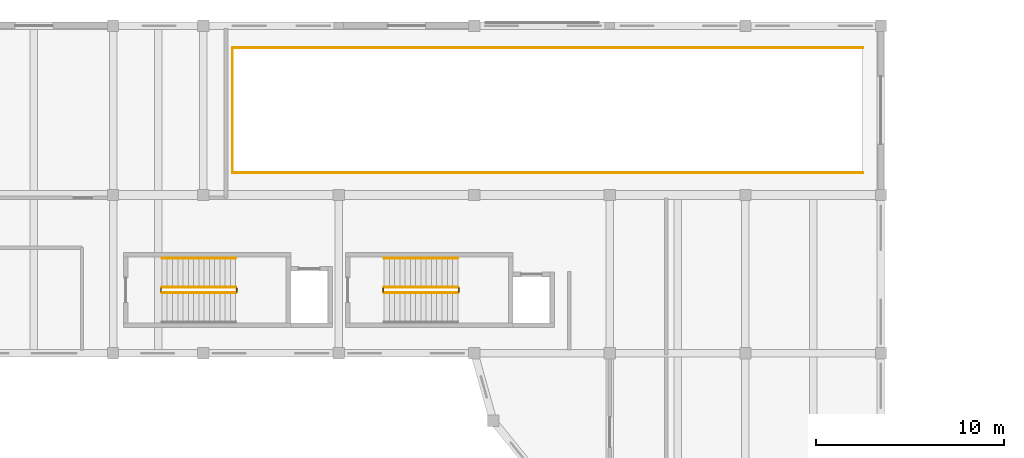
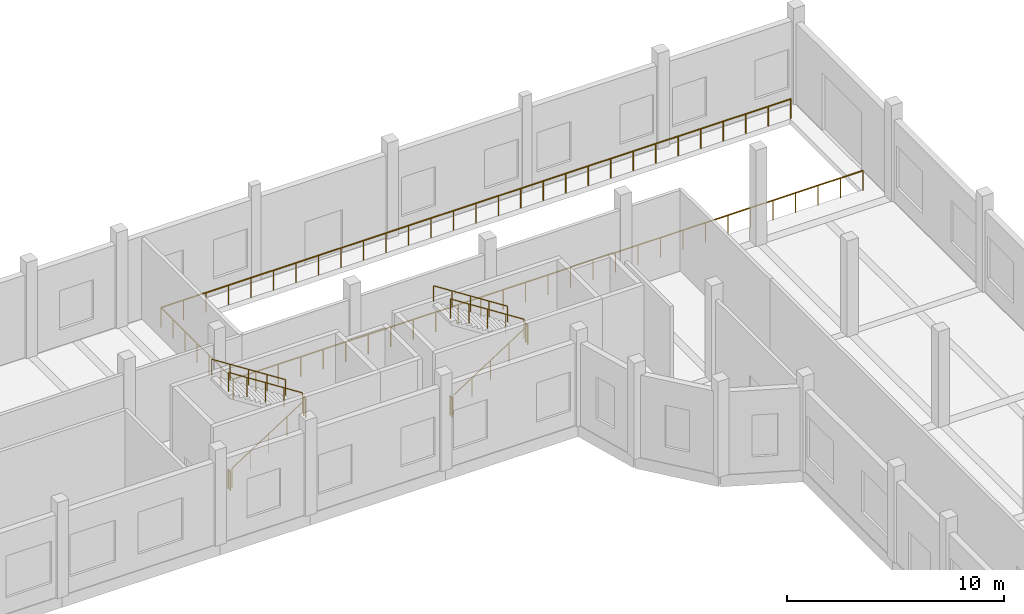
# One storey, part 39 of 41: 13 railings.
"""IFC4 building model written with IfcOpenShell, lengths in metres."""

from ifc_helpers import new_model, si_unit, direction, frame, origin, origin_2d, place, context, subcontext, project, spatial, circle, extrude, material, type_object, element, save


model = new_model("IFC4")

# Units and contexts
model_context = context("Model", 3, precision=1e-05, world=origin(), true_north=direction((0.0, 1.0)))
body_context = subcontext(model_context, "Body", "Model", "MODEL_VIEW")
ifc_project = project(units=[si_unit("LENGTHUNIT", "METRE"), si_unit("AREAUNIT", "SQUARE_METRE"), si_unit("VOLUMEUNIT", "CUBIC_METRE"), si_unit("PLANEANGLEUNIT", "RADIAN"), si_unit("MASSUNIT", "GRAM", prefix="KILO")], contexts=[model_context])

# Site, building, storey
site_placement = place(None, origin())
site = spatial("IfcSite", under=ifc_project, at=site_placement, CompositionType="ELEMENT")
building_placement = place(site_placement, origin())
building = spatial("IfcBuilding", under=site, at=building_placement, Name="Kahlenmark Community Centre", CompositionType="ELEMENT")
storey_placement = place(building_placement, origin())
storey = spatial("IfcBuildingStorey", under=building, at=storey_placement, Name="L00", CompositionType="ELEMENT", Elevation=0.0)

# Railings
ifc_material_1 = material(Name="Powder-coated galvanized steel balustrade", Category="steel")
railing_type_1 = type_object("IfcRailingType", Name="RLT-BAL-1120", PredefinedType="BALUSTRADE", material=ifc_material_1)
railing_1_placement = place(storey_placement, frame((52.35009765625, 107.179931640625, 0.0)))
element("IfcRailing", 1, at=railing_1_placement, inside=storey, type_object=railing_type_1, Name="Balustrade guard L00-017", PredefinedType="BALUSTRADE", context=body_context, shape_type="SweptSolid", body=[
    extrude(circle(Radius=0.02392578125, at=origin_2d()), frame((0.0, 0.0, 1.09619140625), z_axis=(1.0, 0.0, 0.0), x_axis=(0.0, 1.0, 0.0)), (0.0, 0.0, 1.0), 33.5),
    extrude(circle(Radius=0.02099609375, at=origin_2d()), origin(), (0.0, 0.0, 1.0), 1.072021484375),
    extrude(circle(Radius=0.02099609375, at=origin_2d()), frame((1.196533203125, 0.0, 0.0)), (0.0, 0.0, 1.0), 1.072021484375),
    extrude(circle(Radius=0.02099609375, at=origin_2d()), frame((2.392822265625, 0.0, 0.0)), (0.0, 0.0, 1.0), 1.072021484375),
    extrude(circle(Radius=0.02099609375, at=origin_2d()), frame((3.58935546875, 0.0, 0.0)), (0.0, 0.0, 1.0), 1.072021484375),
    extrude(circle(Radius=0.02099609375, at=origin_2d()), frame((4.78564453125, 0.0, 0.0)), (0.0, 0.0, 1.0), 1.072021484375),
    extrude(circle(Radius=0.02099609375, at=origin_2d()), frame((5.982177734375, 0.0, 0.0)), (0.0, 0.0, 1.0), 1.072021484375),
    extrude(circle(Radius=0.02099609375, at=origin_2d()), frame((7.178466796875, 0.0, 0.0)), (0.0, 0.0, 1.0), 1.072021484375),
    extrude(circle(Radius=0.02099609375, at=origin_2d()), frame((8.375, 0.0, 0.0)), (0.0, 0.0, 1.0), 1.072021484375),
    extrude(circle(Radius=0.02099609375, at=origin_2d()), frame((9.571533203125, 0.0, 0.0)), (0.0, 0.0, 1.0), 1.072021484375),
    extrude(circle(Radius=0.02099609375, at=origin_2d()), frame((10.767822265625, 0.0, 0.0)), (0.0, 0.0, 1.0), 1.072021484375),
    extrude(circle(Radius=0.02099609375, at=origin_2d()), frame((11.96435546875, 0.0, 0.0)), (0.0, 0.0, 1.0), 1.072021484375),
    extrude(circle(Radius=0.02099609375, at=origin_2d()), frame((13.16064453125, 0.0, 0.0)), (0.0, 0.0, 1.0), 1.072021484375),
    extrude(circle(Radius=0.02099609375, at=origin_2d()), frame((14.357177734375, 0.0, 0.0)), (0.0, 0.0, 1.0), 1.072021484375),
    extrude(circle(Radius=0.02099609375, at=origin_2d()), frame((15.553466796875, 0.0, 0.0)), (0.0, 0.0, 1.0), 1.072021484375),
    extrude(circle(Radius=0.02099609375, at=origin_2d()), frame((16.75, 0.0, 0.0)), (0.0, 0.0, 1.0), 1.072021484375),
    extrude(circle(Radius=0.02099609375, at=origin_2d()), frame((17.946533203125, 0.0, 0.0)), (0.0, 0.0, 1.0), 1.072021484375),
    extrude(circle(Radius=0.02099609375, at=origin_2d()), frame((19.142822265625, 0.0, 0.0)), (0.0, 0.0, 1.0), 1.072021484375),
    extrude(circle(Radius=0.02099609375, at=origin_2d()), frame((20.33935546875, 0.0, 0.0)), (0.0, 0.0, 1.0), 1.072021484375),
    extrude(circle(Radius=0.02099609375, at=origin_2d()), frame((21.53564453125, 0.0, 0.0)), (0.0, 0.0, 1.0), 1.072021484375),
    extrude(circle(Radius=0.02099609375, at=origin_2d()), frame((22.732177734375, 0.0, 0.0)), (0.0, 0.0, 1.0), 1.072021484375),
    extrude(circle(Radius=0.02099609375, at=origin_2d()), frame((23.928466796875, 0.0, 0.0)), (0.0, 0.0, 1.0), 1.072021484375),
    extrude(circle(Radius=0.02099609375, at=origin_2d()), frame((25.125, 0.0, 0.0)), (0.0, 0.0, 1.0), 1.072021484375),
    extrude(circle(Radius=0.02099609375, at=origin_2d()), frame((26.321533203125, 0.0, 0.0)), (0.0, 0.0, 1.0), 1.072021484375),
    extrude(circle(Radius=0.02099609375, at=origin_2d()), frame((27.517822265625, 0.0, 0.0)), (0.0, 0.0, 1.0), 1.072021484375),
    extrude(circle(Radius=0.02099609375, at=origin_2d()), frame((28.71435546875, 0.0, 0.0)), (0.0, 0.0, 1.0), 1.072021484375),
    extrude(circle(Radius=0.02099609375, at=origin_2d()), frame((29.91064453125, 0.0, 0.0)), (0.0, 0.0, 1.0), 1.072021484375),
    extrude(circle(Radius=0.02099609375, at=origin_2d()), frame((31.107177734375, 0.0, 0.0)), (0.0, 0.0, 1.0), 1.072021484375),
    extrude(circle(Radius=0.02099609375, at=origin_2d()), frame((32.303466796875, 0.0, 0.0)), (0.0, 0.0, 1.0), 1.072021484375),
    extrude(circle(Radius=0.02099609375, at=origin_2d()), frame((33.5, 0.0, 0.0)), (0.0, 0.0, 1.0), 1.072021484375),
])
railing_2_placement = place(storey_placement, frame((52.35009765625, 113.820068359375, 0.0)))
element("IfcRailing", 2, at=railing_2_placement, inside=storey, type_object=railing_type_1, Name="Balustrade guard L00-018", PredefinedType="BALUSTRADE", context=body_context, shape_type="SweptSolid", body=[
    extrude(circle(Radius=0.02392578125, at=origin_2d()), frame((0.0, 0.0, 1.09619140625), z_axis=(1.0, 0.0, 0.0), x_axis=(0.0, 1.0, 0.0)), (0.0, 0.0, 1.0), 33.5),
    extrude(circle(Radius=0.02099609375, at=origin_2d()), origin(), (0.0, 0.0, 1.0), 1.072021484375),
    extrude(circle(Radius=0.02099609375, at=origin_2d()), frame((1.196533203125, 0.0, 0.0)), (0.0, 0.0, 1.0), 1.072021484375),
    extrude(circle(Radius=0.02099609375, at=origin_2d()), frame((2.392822265625, 0.0, 0.0)), (0.0, 0.0, 1.0), 1.072021484375),
    extrude(circle(Radius=0.02099609375, at=origin_2d()), frame((3.58935546875, 0.0, 0.0)), (0.0, 0.0, 1.0), 1.072021484375),
    extrude(circle(Radius=0.02099609375, at=origin_2d()), frame((4.78564453125, 0.0, 0.0)), (0.0, 0.0, 1.0), 1.072021484375),
    extrude(circle(Radius=0.02099609375, at=origin_2d()), frame((5.982177734375, 0.0, 0.0)), (0.0, 0.0, 1.0), 1.072021484375),
    extrude(circle(Radius=0.02099609375, at=origin_2d()), frame((7.178466796875, 0.0, 0.0)), (0.0, 0.0, 1.0), 1.072021484375),
    extrude(circle(Radius=0.02099609375, at=origin_2d()), frame((8.375, 0.0, 0.0)), (0.0, 0.0, 1.0), 1.072021484375),
    extrude(circle(Radius=0.02099609375, at=origin_2d()), frame((9.571533203125, 0.0, 0.0)), (0.0, 0.0, 1.0), 1.072021484375),
    extrude(circle(Radius=0.02099609375, at=origin_2d()), frame((10.767822265625, 0.0, 0.0)), (0.0, 0.0, 1.0), 1.072021484375),
    extrude(circle(Radius=0.02099609375, at=origin_2d()), frame((11.96435546875, 0.0, 0.0)), (0.0, 0.0, 1.0), 1.072021484375),
    extrude(circle(Radius=0.02099609375, at=origin_2d()), frame((13.16064453125, 0.0, 0.0)), (0.0, 0.0, 1.0), 1.072021484375),
    extrude(circle(Radius=0.02099609375, at=origin_2d()), frame((14.357177734375, 0.0, 0.0)), (0.0, 0.0, 1.0), 1.072021484375),
    extrude(circle(Radius=0.02099609375, at=origin_2d()), frame((15.553466796875, 0.0, 0.0)), (0.0, 0.0, 1.0), 1.072021484375),
    extrude(circle(Radius=0.02099609375, at=origin_2d()), frame((16.75, 0.0, 0.0)), (0.0, 0.0, 1.0), 1.072021484375),
    extrude(circle(Radius=0.02099609375, at=origin_2d()), frame((17.946533203125, 0.0, 0.0)), (0.0, 0.0, 1.0), 1.072021484375),
    extrude(circle(Radius=0.02099609375, at=origin_2d()), frame((19.142822265625, 0.0, 0.0)), (0.0, 0.0, 1.0), 1.072021484375),
    extrude(circle(Radius=0.02099609375, at=origin_2d()), frame((20.33935546875, 0.0, 0.0)), (0.0, 0.0, 1.0), 1.072021484375),
    extrude(circle(Radius=0.02099609375, at=origin_2d()), frame((21.53564453125, 0.0, 0.0)), (0.0, 0.0, 1.0), 1.072021484375),
    extrude(circle(Radius=0.02099609375, at=origin_2d()), frame((22.732177734375, 0.0, 0.0)), (0.0, 0.0, 1.0), 1.072021484375),
    extrude(circle(Radius=0.02099609375, at=origin_2d()), frame((23.928466796875, 0.0, 0.0)), (0.0, 0.0, 1.0), 1.072021484375),
    extrude(circle(Radius=0.02099609375, at=origin_2d()), frame((25.125, 0.0, 0.0)), (0.0, 0.0, 1.0), 1.072021484375),
    extrude(circle(Radius=0.02099609375, at=origin_2d()), frame((26.321533203125, 0.0, 0.0)), (0.0, 0.0, 1.0), 1.072021484375),
    extrude(circle(Radius=0.02099609375, at=origin_2d()), frame((27.517822265625, 0.0, 0.0)), (0.0, 0.0, 1.0), 1.072021484375),
    extrude(circle(Radius=0.02099609375, at=origin_2d()), frame((28.71435546875, 0.0, 0.0)), (0.0, 0.0, 1.0), 1.072021484375),
    extrude(circle(Radius=0.02099609375, at=origin_2d()), frame((29.91064453125, 0.0, 0.0)), (0.0, 0.0, 1.0), 1.072021484375),
    extrude(circle(Radius=0.02099609375, at=origin_2d()), frame((31.107177734375, 0.0, 0.0)), (0.0, 0.0, 1.0), 1.072021484375),
    extrude(circle(Radius=0.02099609375, at=origin_2d()), frame((32.303466796875, 0.0, 0.0)), (0.0, 0.0, 1.0), 1.072021484375),
    extrude(circle(Radius=0.02099609375, at=origin_2d()), frame((33.5, 0.0, 0.0)), (0.0, 0.0, 1.0), 1.072021484375),
])
railing_3_placement = place(storey_placement, frame((52.35009765625, 107.179931640625, 0.0)))
element("IfcRailing", 3, at=railing_3_placement, inside=storey, type_object=railing_type_1, Name="Balustrade guard L00-019", PredefinedType="BALUSTRADE", context=body_context, shape_type="SweptSolid", body=[
    extrude(circle(Radius=0.02392578125, at=origin_2d()), frame((0.0, 0.0, 1.09619140625), z_axis=(0.0, 1.0, 0.0), x_axis=(-1.0, 0.0, 0.0)), (0.0, 0.0, 1.0), 6.64013671875),
    extrude(circle(Radius=0.02099609375, at=origin_2d()), origin(), (0.0, 0.0, 1.0), 1.072021484375),
    extrude(circle(Radius=0.02099609375, at=origin_2d()), frame((0.0, 1.106689453125, 0.0)), (0.0, 0.0, 1.0), 1.072021484375),
    extrude(circle(Radius=0.02099609375, at=origin_2d()), frame((0.0, 2.21337890625, 0.0)), (0.0, 0.0, 1.0), 1.072021484375),
    extrude(circle(Radius=0.02099609375, at=origin_2d()), frame((0.0, 3.320068359375, 0.0)), (0.0, 0.0, 1.0), 1.072021484375),
    extrude(circle(Radius=0.02099609375, at=origin_2d()), frame((0.0, 4.4267578125, 0.0)), (0.0, 0.0, 1.0), 1.072021484375),
    extrude(circle(Radius=0.02099609375, at=origin_2d()), frame((0.0, 5.533447265625, 0.0)), (0.0, 0.0, 1.0), 1.072021484375),
    extrude(circle(Radius=0.02099609375, at=origin_2d()), frame((0.0, 6.64013671875, 0.0)), (0.0, 0.0, 1.0), 1.072021484375),
])
ifc_material_2 = material(Name="Brushed stainless steel 1.4301 handrail", Category="steel")
railing_type_2 = type_object("IfcRailingType", Name="RLT-HR-900", PredefinedType="HANDRAIL", material=ifc_material_2)
railing_4_placement = place(storey_placement, frame((52.52001953125, 102.64990234375, 2.8798828125)))
element("IfcRailing", 4, at=railing_4_placement, inside=storey, type_object=railing_type_2, Name="L00 ST-04 stair handrail 2", PredefinedType="HANDRAIL", context=body_context, shape_type="SweptSolid", body=[
    extrude(circle(Radius=0.02392578125, at=origin_2d()), frame((0.0, 0.0, 0.8759765625), z_axis=(-0.841171666519, 0.0, 0.540768182723), x_axis=(0.0, -1.0, 0.0)), (0.0, 0.0, 1.0), 4.66015625),
    extrude(circle(Radius=0.02099609375, at=origin_2d()), origin(), (0.0, 0.0, 1.0), 0.851806640625),
    extrude(circle(Radius=0.02099609375, at=origin_2d()), frame((-0.97998046875, 0.0, 0.6298828125)), (0.0, 0.0, 1.0), 0.851806640625),
    extrude(circle(Radius=0.02099609375, at=origin_2d()), frame((-1.9599609375, 0.0, 1.260009765625)), (0.0, 0.0, 1.0), 0.851806640625),
    extrude(circle(Radius=0.02099609375, at=origin_2d()), frame((-2.93994140625, 0.0, 1.89013671875)), (0.0, 0.0, 1.0), 0.851806640625),
    extrude(circle(Radius=0.02099609375, at=origin_2d()), frame((-3.919921875, 0.0, 2.52001953125)), (0.0, 0.0, 1.0), 0.851806640625),
])
railing_5_placement = place(storey_placement, frame((64.320068359375, 102.64990234375, 2.8798828125)))
element("IfcRailing", 5, at=railing_5_placement, inside=storey, type_object=railing_type_2, Name="L00 ST-05 stair handrail 2", PredefinedType="HANDRAIL", context=body_context, shape_type="SweptSolid", body=[
    extrude(circle(Radius=0.02392578125, at=origin_2d()), frame((0.0, 0.0, 0.8759765625), z_axis=(-0.841186985886, 0.0, 0.540744352514), x_axis=(0.0, -1.0, 0.0)), (0.0, 0.0, 1.0), 4.660400390625),
    extrude(circle(Radius=0.02099609375, at=origin_2d()), origin(), (0.0, 0.0, 1.0), 0.851806640625),
    extrude(circle(Radius=0.02099609375, at=origin_2d()), frame((-0.97998046875, 0.0, 0.6298828125)), (0.0, 0.0, 1.0), 0.851806640625),
    extrude(circle(Radius=0.02099609375, at=origin_2d()), frame((-1.9599609375, 0.0, 1.260009765625)), (0.0, 0.0, 1.0), 0.851806640625),
    extrude(circle(Radius=0.02099609375, at=origin_2d()), frame((-2.940185546875, 0.0, 1.89013671875)), (0.0, 0.0, 1.0), 0.851806640625),
    extrude(circle(Radius=0.02099609375, at=origin_2d()), frame((-3.920166015625, 0.0, 2.52001953125)), (0.0, 0.0, 1.0), 0.851806640625),
])
ifc_material_3 = material(Name="Powder-coated steel stair well guard", Category="steel")
railing_type_3 = type_object("IfcRailingType", Name="RLT-SG-1120", PredefinedType="GUARDRAIL", material=ifc_material_3)
railing_6_placement = place(storey_placement, frame((48.60009765625, 100.800048828125, 0.179931640625)))
element("IfcRailing", 6, at=railing_6_placement, inside=storey, type_object=railing_type_3, Name="L00 ST-04 stair guard 1", PredefinedType="GUARDRAIL", context=body_context, shape_type="SweptSolid", body=[
    extrude(circle(Radius=0.02392578125, at=origin_2d()), frame((0.0, 0.0, 1.076171875), z_axis=(0.841171666519, 0.0, 0.540768182723), x_axis=(0.0, 1.0, 0.0)), (0.0, 0.0, 1.0), 4.66015625),
    extrude(circle(Radius=0.02099609375, at=origin_2d()), origin(), (0.0, 0.0, 1.0), 1.052001953125),
    extrude(circle(Radius=0.02099609375, at=origin_2d()), frame((0.97998046875, 0.0, 0.6298828125)), (0.0, 0.0, 1.0), 1.052001953125),
    extrude(circle(Radius=0.02099609375, at=origin_2d()), frame((1.9599609375, 0.0, 1.260009765625)), (0.0, 0.0, 1.0), 1.052001953125),
    extrude(circle(Radius=0.02099609375, at=origin_2d()), frame((2.93994140625, 0.0, 1.89013671875)), (0.0, 0.0, 1.0), 1.052001953125),
    extrude(circle(Radius=0.02099609375, at=origin_2d()), frame((3.919921875, 0.0, 2.52001953125)), (0.0, 0.0, 1.0), 1.052001953125),
])
railing_7_placement = place(storey_placement, frame((52.570068359375, 100.85009765625, 2.699951171875)))
element("IfcRailing", 7, at=railing_7_placement, inside=storey, type_object=railing_type_3, Name="L00 ST-04 stair guard 2", PredefinedType="GUARDRAIL", context=body_context, shape_type="SweptSolid", body=[
    extrude(circle(Radius=0.02392578125, at=origin_2d()), frame((0.0, 0.0, 1.076171875), z_axis=(0.0, 1.0, 0.0), x_axis=(-1.0, 0.0, 0.0)), (0.0, 0.0, 1.0), 0.199951171875),
    extrude(circle(Radius=0.02099609375, at=origin_2d()), origin(), (0.0, 0.0, 1.0), 1.052001953125),
    extrude(circle(Radius=0.02099609375, at=origin_2d()), frame((0.0, 0.199951171875, 0.0)), (0.0, 0.0, 1.0), 1.052001953125),
])
railing_8_placement = place(storey_placement, frame((52.52001953125, 101.10009765625, 2.8798828125)))
element("IfcRailing", 8, at=railing_8_placement, inside=storey, type_object=railing_type_3, Name="L00 ST-04 stair guard 3", PredefinedType="GUARDRAIL", context=body_context, shape_type="SweptSolid", body=[
    extrude(circle(Radius=0.02392578125, at=origin_2d()), frame((0.0, 0.0, 1.076171875), z_axis=(-0.841171666519, 0.0, 0.540768182723), x_axis=(0.0, -1.0, 0.0)), (0.0, 0.0, 1.0), 4.66015625),
    extrude(circle(Radius=0.02099609375, at=origin_2d()), origin(), (0.0, 0.0, 1.0), 1.052001953125),
    extrude(circle(Radius=0.02099609375, at=origin_2d()), frame((-0.97998046875, 0.0, 0.6298828125)), (0.0, 0.0, 1.0), 1.052001953125),
    extrude(circle(Radius=0.02099609375, at=origin_2d()), frame((-1.9599609375, 0.0, 1.260009765625)), (0.0, 0.0, 1.0), 1.052001953125),
    extrude(circle(Radius=0.02099609375, at=origin_2d()), frame((-2.93994140625, 0.0, 1.89013671875)), (0.0, 0.0, 1.0), 1.052001953125),
    extrude(circle(Radius=0.02099609375, at=origin_2d()), frame((-3.919921875, 0.0, 2.52001953125)), (0.0, 0.0, 1.0), 1.052001953125),
])
railing_9_placement = place(storey_placement, frame((48.550048828125, 100.85009765625, 0.0)))
element("IfcRailing", 9, at=railing_9_placement, inside=storey, type_object=railing_type_3, Name="L00 ST-04 stair guard 4", PredefinedType="GUARDRAIL", context=body_context, shape_type="SweptSolid", body=[
    extrude(circle(Radius=0.02392578125, at=origin_2d()), frame((0.0, 0.0, 1.076171875), z_axis=(0.0, 1.0, 0.0), x_axis=(-1.0, 0.0, 0.0)), (0.0, 0.0, 1.0), 0.199951171875),
    extrude(circle(Radius=0.02099609375, at=origin_2d()), origin(), (0.0, 0.0, 1.0), 1.052001953125),
    extrude(circle(Radius=0.02099609375, at=origin_2d()), frame((0.0, 0.199951171875, 0.0)), (0.0, 0.0, 1.0), 1.052001953125),
])
railing_10_placement = place(storey_placement, frame((60.39990234375, 100.800048828125, 0.179931640625)))
element("IfcRailing", 10, at=railing_10_placement, inside=storey, type_object=railing_type_3, Name="L00 ST-05 stair guard 1", PredefinedType="GUARDRAIL", context=body_context, shape_type="SweptSolid", body=[
    extrude(circle(Radius=0.02392578125, at=origin_2d()), frame((0.0, 0.0, 1.076171875), z_axis=(0.841186985886, 0.0, 0.540744352514), x_axis=(0.0, 1.0, 0.0)), (0.0, 0.0, 1.0), 4.660400390625),
    extrude(circle(Radius=0.02099609375, at=origin_2d()), origin(), (0.0, 0.0, 1.0), 1.052001953125),
    extrude(circle(Radius=0.02099609375, at=origin_2d()), frame((0.97998046875, 0.0, 0.6298828125)), (0.0, 0.0, 1.0), 1.052001953125),
    extrude(circle(Radius=0.02099609375, at=origin_2d()), frame((1.9599609375, 0.0, 1.260009765625)), (0.0, 0.0, 1.0), 1.052001953125),
    extrude(circle(Radius=0.02099609375, at=origin_2d()), frame((2.940185546875, 0.0, 1.89013671875)), (0.0, 0.0, 1.0), 1.052001953125),
    extrude(circle(Radius=0.02099609375, at=origin_2d()), frame((3.920166015625, 0.0, 2.52001953125)), (0.0, 0.0, 1.0), 1.052001953125),
])
railing_11_placement = place(storey_placement, frame((64.3701171875, 100.85009765625, 2.699951171875)))
element("IfcRailing", 11, at=railing_11_placement, inside=storey, type_object=railing_type_3, Name="L00 ST-05 stair guard 2", PredefinedType="GUARDRAIL", context=body_context, shape_type="SweptSolid", body=[
    extrude(circle(Radius=0.02392578125, at=origin_2d()), frame((0.0, 0.0, 1.076171875), z_axis=(0.0, 1.0, 0.0), x_axis=(-1.0, 0.0, 0.0)), (0.0, 0.0, 1.0), 0.199951171875),
    extrude(circle(Radius=0.02099609375, at=origin_2d()), origin(), (0.0, 0.0, 1.0), 1.052001953125),
    extrude(circle(Radius=0.02099609375, at=origin_2d()), frame((0.0, 0.199951171875, 0.0)), (0.0, 0.0, 1.0), 1.052001953125),
])
railing_12_placement = place(storey_placement, frame((64.320068359375, 101.10009765625, 2.8798828125)))
element("IfcRailing", 12, at=railing_12_placement, inside=storey, type_object=railing_type_3, Name="L00 ST-05 stair guard 3", PredefinedType="GUARDRAIL", context=body_context, shape_type="SweptSolid", body=[
    extrude(circle(Radius=0.02392578125, at=origin_2d()), frame((0.0, 0.0, 1.076171875), z_axis=(-0.841186985886, 0.0, 0.540744352514), x_axis=(0.0, -1.0, 0.0)), (0.0, 0.0, 1.0), 4.660400390625),
    extrude(circle(Radius=0.02099609375, at=origin_2d()), origin(), (0.0, 0.0, 1.0), 1.052001953125),
    extrude(circle(Radius=0.02099609375, at=origin_2d()), frame((-0.97998046875, 0.0, 0.6298828125)), (0.0, 0.0, 1.0), 1.052001953125),
    extrude(circle(Radius=0.02099609375, at=origin_2d()), frame((-1.9599609375, 0.0, 1.260009765625)), (0.0, 0.0, 1.0), 1.052001953125),
    extrude(circle(Radius=0.02099609375, at=origin_2d()), frame((-2.940185546875, 0.0, 1.89013671875)), (0.0, 0.0, 1.0), 1.052001953125),
    extrude(circle(Radius=0.02099609375, at=origin_2d()), frame((-3.920166015625, 0.0, 2.52001953125)), (0.0, 0.0, 1.0), 1.052001953125),
])
railing_13_placement = place(storey_placement, frame((60.35009765625, 100.85009765625, 0.0)))
element("IfcRailing", 13, at=railing_13_placement, inside=storey, type_object=railing_type_3, Name="L00 ST-05 stair guard 4", PredefinedType="GUARDRAIL", context=body_context, shape_type="SweptSolid", body=[
    extrude(circle(Radius=0.02392578125, at=origin_2d()), frame((0.0, 0.0, 1.076171875), z_axis=(0.0, 1.0, 0.0), x_axis=(-1.0, 0.0, 0.0)), (0.0, 0.0, 1.0), 0.199951171875),
    extrude(circle(Radius=0.02099609375, at=origin_2d()), origin(), (0.0, 0.0, 1.0), 1.052001953125),
    extrude(circle(Radius=0.02099609375, at=origin_2d()), frame((0.0, 0.199951171875, 0.0)), (0.0, 0.0, 1.0), 1.052001953125),
])

save(model, "model.ifc")
